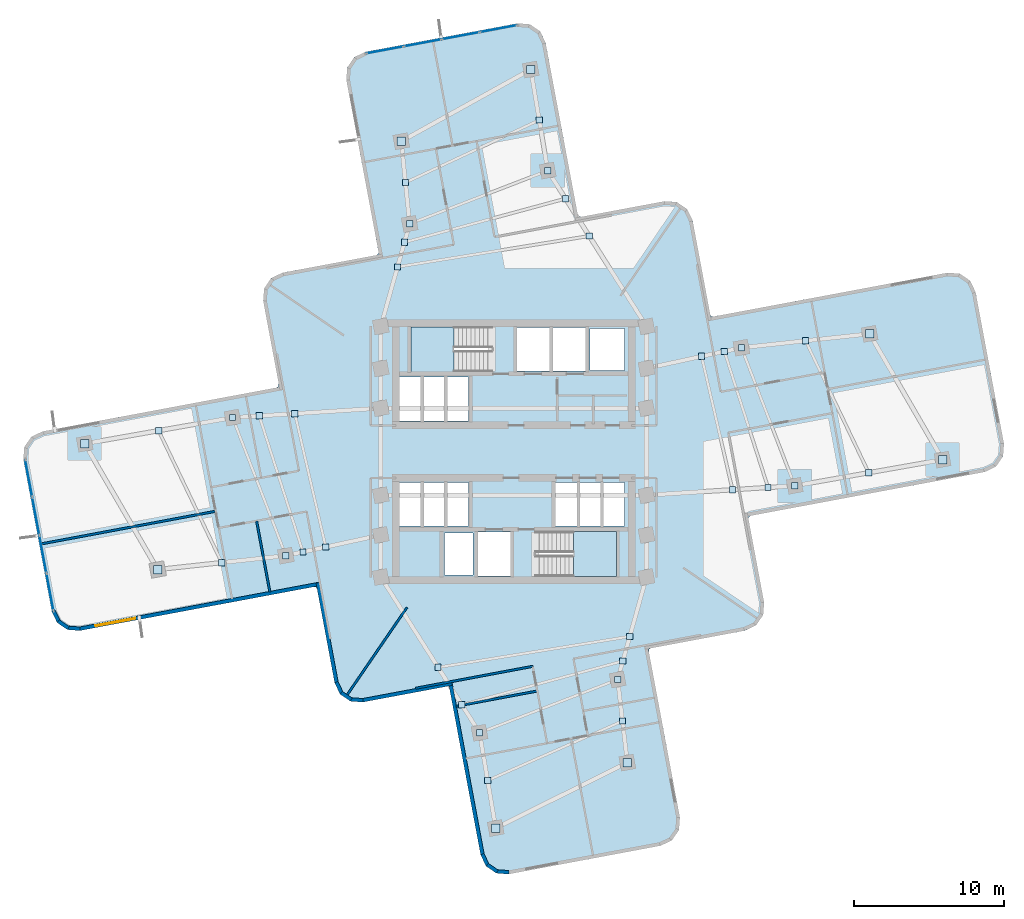
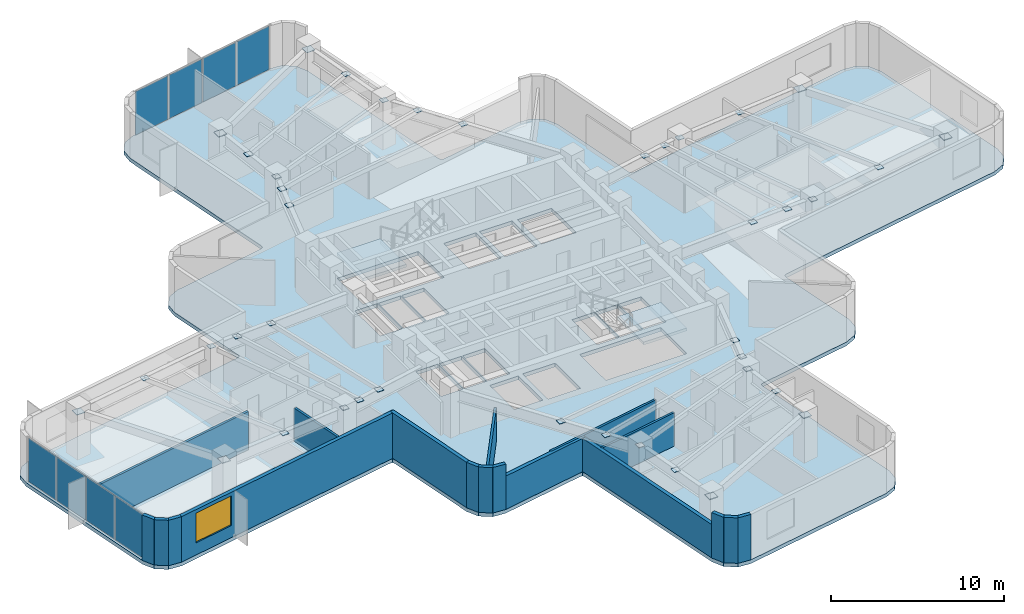
# One storey, part 5 of 12: 48 plates, 18 walls, 3 slabs, 1 window, 1 opening, 4 elements without a shape of their own.
"""IFC4 building model written with IfcOpenShell, lengths in metres."""

from ifc_helpers import new_model, si_unit, direction, frame, frame_2d, origin, origin_2d, place, context, subcontext, project, spatial, polyline, rectangle, outline, extrude, material, layer, layer_set, type_object, element, fill, aggregate, save


model = new_model("IFC4")

# Units and contexts
model_context = context("Model", 3, precision=1e-05, world=origin(), true_north=direction((0.0, 1.0)))
body_context = subcontext(model_context, "Body", "Model", "MODEL_VIEW")
ifc_project = project(units=[si_unit("LENGTHUNIT", "METRE"), si_unit("AREAUNIT", "SQUARE_METRE"), si_unit("VOLUMEUNIT", "CUBIC_METRE"), si_unit("PLANEANGLEUNIT", "RADIAN"), si_unit("MASSUNIT", "GRAM", prefix="KILO")], contexts=[model_context])

# Site, building, storey
site_placement = place(None, origin())
site = spatial("IfcSite", under=ifc_project, at=site_placement, CompositionType="ELEMENT")
building_placement = place(site_placement, origin())
building = spatial("IfcBuilding", under=site, at=building_placement, Name="Solmarez Civic Tower", CompositionType="ELEMENT")
storey_placement = place(building_placement, frame((0.0, 0.0, 103.679931640625)))
storey = spatial("IfcBuildingStorey", under=building, at=storey_placement, Name="L27", CompositionType="ELEMENT", Elevation=103.679931640625)

# Curtain wall, plates
ifc_material_1 = material(Name="Bronze Anodised Aluminium EN AW-6063 T6", Category="aluminium")
ifc_layer_1 = layer(ifc_material_1, 0.2099609375)
ifc_layer_set_1 = layer_set([ifc_layer_1], Name="Bronze Anodised Aluminium EN AW-6063 T6")
curtain_wall_type = type_object("IfcCurtainWallType", Name="CW-SYS-5", PredefinedType="NOTDEFINED", material=ifc_layer_set_1)
curtain_wall_1_placement = place(storey_placement, origin())
curtain_wall_1 = element("IfcCurtainWall", 1, at=curtain_wall_1_placement, inside=storey, type_object=curtain_wall_type, Name="L27 Stick-Built Curtain Wall 1", PredefinedType="NOTDEFINED")
ifc_material_2 = material(Name="Solar Control Low-E Laminated Vision Glass", Category="glass")
ifc_layer_2 = layer(ifc_material_2, 0.028076171875)
ifc_layer_set_2 = layer_set([ifc_layer_2], Name="Solar Control Low-E Laminated Vision Glass")
plate_type_1 = type_object("IfcPlateType", Name="CWP-GLAZ-28", PredefinedType="CURTAIN_PANEL", material=ifc_layer_set_2)
plate_1_placement = place(storey_placement, frame((-30.888671875, -9.3427734375, 0.06494140625), z_axis=(0.0, 0.0, 1.0), x_axis=(-0.183931608469, 0.982939043586, 0.0)))
plate_1 = element("IfcPlate", 2, at=plate_1_placement, type_object=plate_type_1, Name="CWS5 panel 1.1", PredefinedType="CURTAIN_PANEL", context=body_context, shape_type="SweptSolid", body=[
    extrude(rectangle(XDim=2.46728515625, YDim=0.028076171875, at=origin_2d()), origin(), (0.0, 0.0, 1.0), 3.070068359375),
])
plate_2_placement = place(storey_placement, frame((-31.35986328125, -6.825439453125, 0.06494140625), z_axis=(0.0, 0.0, 1.0), x_axis=(-0.183931608469, 0.982939043586, 0.0)))
plate_2 = element("IfcPlate", 3, at=plate_2_placement, type_object=plate_type_1, Name="CWS5 panel 2.1", PredefinedType="CURTAIN_PANEL", context=body_context, shape_type="SweptSolid", body=[
    extrude(rectangle(XDim=2.5048828125, YDim=0.028076171875, at=origin_2d()), origin(), (0.0, 0.0, 1.0), 3.070068359375),
])
plate_3_placement = place(storey_placement, frame((-31.834228515625, -4.28955078125, 0.06494140625), z_axis=(0.0, 0.0, 1.0), x_axis=(-0.183931608469, 0.982939043586, 0.0)))
plate_3 = element("IfcPlate", 4, at=plate_3_placement, type_object=plate_type_1, Name="CWS5 panel 3.1", PredefinedType="CURTAIN_PANEL", context=body_context, shape_type="SweptSolid", body=[
    extrude(rectangle(XDim=2.5048828125, YDim=0.028076171875, at=origin_2d()), origin(), (0.0, 0.0, 1.0), 3.070068359375),
])
plate_4_placement = place(storey_placement, frame((-32.305419921875, -1.772216796875, 0.06494140625), z_axis=(0.0, 0.0, 1.0), x_axis=(-0.183931608469, 0.982939043586, 0.0)))
plate_4 = element("IfcPlate", 5, at=plate_4_placement, type_object=plate_type_1, Name="CWS5 panel 4.1", PredefinedType="CURTAIN_PANEL", context=body_context, shape_type="SweptSolid", body=[
    extrude(rectangle(XDim=2.46728515625, YDim=0.028076171875, at=origin_2d()), origin(), (0.0, 0.0, 1.0), 3.070068359375),
])
aggregate(curtain_wall_1, [plate_1, plate_2, plate_3, plate_4])

curtain_wall_2_placement = place(storey_placement, origin())
curtain_wall_2 = element("IfcCurtainWall", 6, at=curtain_wall_2_placement, inside=storey, type_object=curtain_wall_type, Name="L27 Stick-Built Curtain Wall 2", PredefinedType="NOTDEFINED")
plate_5_placement = place(storey_placement, frame((-8.569580078125, 26.759765625, 0.06494140625), z_axis=(0.0, 0.0, 1.0), x_axis=(0.982921519076, 0.184025235598, 0.0)))
plate_5 = element("IfcPlate", 7, at=plate_5_placement, type_object=plate_type_1, Name="CWS5 panel 1.1", PredefinedType="CURTAIN_PANEL", context=body_context, shape_type="SweptSolid", body=[
    extrude(rectangle(XDim=2.46728515625, YDim=0.028076171875, at=origin_2d()), origin(), (0.0, 0.0, 1.0), 3.070068359375),
])
plate_6_placement = place(storey_placement, frame((-6.052490234375, 27.231201171875, 0.06494140625), z_axis=(0.0, 0.0, 1.0), x_axis=(0.982921519076, 0.184025235598, 0.0)))
plate_6 = element("IfcPlate", 8, at=plate_6_placement, type_object=plate_type_1, Name="CWS5 panel 2.1", PredefinedType="CURTAIN_PANEL", context=body_context, shape_type="SweptSolid", body=[
    extrude(rectangle(XDim=2.5048828125, YDim=0.028076171875, at=origin_2d()), origin(), (0.0, 0.0, 1.0), 3.070068359375),
])
plate_7_placement = place(storey_placement, frame((-3.5166015625, 27.705810546875, 0.06494140625), z_axis=(0.0, 0.0, 1.0), x_axis=(0.982921519076, 0.184025235598, 0.0)))
plate_7 = element("IfcPlate", 9, at=plate_7_placement, type_object=plate_type_1, Name="CWS5 panel 3.1", PredefinedType="CURTAIN_PANEL", context=body_context, shape_type="SweptSolid", body=[
    extrude(rectangle(XDim=2.5048828125, YDim=0.028076171875, at=origin_2d()), origin(), (0.0, 0.0, 1.0), 3.070068359375),
])
plate_8_placement = place(storey_placement, frame((-0.999267578125, 28.17724609375, 0.06494140625), z_axis=(0.0, 0.0, 1.0), x_axis=(0.982921519076, 0.184025235598, 0.0)))
plate_8 = element("IfcPlate", 10, at=plate_8_placement, type_object=plate_type_1, Name="CWS5 panel 4.1", PredefinedType="CURTAIN_PANEL", context=body_context, shape_type="SweptSolid", body=[
    extrude(rectangle(XDim=2.46728515625, YDim=0.028076171875, at=origin_2d()), origin(), (0.0, 0.0, 1.0), 3.070068359375),
])
aggregate(curtain_wall_2, [plate_5, plate_6, plate_7, plate_8])

# Plates
ifc_material_3 = material(Name="Steel S355", Category="steel")
ifc_layer_3 = layer(ifc_material_3, 0.02392578125)
ifc_layer_set_3 = layer_set([ifc_layer_3], Name="Steel S355")
plate_type_2 = type_object("IfcPlateType", Name="PLT-CAP-380", PredefinedType="USERDEFINED", material=ifc_layer_set_3)
for number, where, z_axis, x_axis, name in (
    (11, (18.72412109375, -2.27099609375, 3.0380859375), (0.0, 0.0, 1.0), (1.0, 0.0, 0.0), "Steel Member End Cap Plate CAP-BM-L27-EA-T1-0"),
    (12, (15.175048828125, 6.927001953125, 3.0380859375), (0.0, 0.0, 1.0), (1.0, 0.0, 0.0), "Steel Member End Cap Plate CAP-BM-L27-EA-T1-1"),
    (13, (23.64990234375, -1.402099609375, 3.0380859375), (0.0, 0.0, 1.0), (1.0, 0.0, 0.0), "Steel Member End Cap Plate CAP-JS-L27-EA-M2-0"),
    (14, (19.445068359375, 7.388916015625, 3.0380859375), (0.0, 0.0, 1.0), (1.0, 0.0, 0.0), "Steel Member End Cap Plate CAP-JS-L27-EA-M2-1"),
    (15, (14.576904296875, -2.534912109375, 3.0380859375), (0.0, 0.0, 1.0), (1.0, 0.0, 0.0), "Steel Member End Cap Plate CAP-JS-L27-EA-M11-0"),
    (16, (12.51806640625, 6.34912109375, 3.0380859375), (0.0, 0.0, 1.0), (1.0, 0.0, 0.0), "Steel Member End Cap Plate CAP-JS-L27-EA-M11-1"),
    (17, (16.947021484375, -2.384033203125, 3.0380859375), (0.0, 0.0, 1.0), (1.0, 0.0, 0.0), "Steel Member End Cap Plate CAP-JS-L27-EA-M12-0"),
    (18, (14.037109375, 6.678955078125, 3.0380859375), (0.0, 0.0, 1.0), (1.0, 0.0, 0.0), "Steel Member End Cap Plate CAP-JS-L27-EA-M12-1"),
    (19, (2.27099609375, 18.72412109375, 3.0380859375), (0.0, 0.0, 1.0), (1.0, 0.0, 0.0), "Steel Member End Cap Plate CAP-BM-L27-NA-T1-0"),
    (20, (-6.927001953125, 15.175048828125, 3.0380859375), (0.0, 0.0, 1.0), (1.0, 0.0, 0.0), "Steel Member End Cap Plate CAP-BM-L27-NA-T1-1"),
    (21, (1.705078125, 22.090087890625, 3.0380859375), (0.0, 0.0, 1.0), (1.0, 0.0, 0.0), "Steel Member End Cap Plate CAP-JS-L27-NA-M2-0"),
    (22, (-7.2080078125, 17.927001953125, 3.0380859375), (0.0, 0.0, 1.0), (1.0, 0.0, 0.0), "Steel Member End Cap Plate CAP-JS-L27-NA-M2-1"),
    (23, (5.033935546875, 14.366943359375, 3.0380859375), (0.0, 0.0, 1.0), (1.0, 0.0, 0.0), "Steel Member End Cap Plate CAP-JS-L27-NA-M11-0"),
    (24, (-7.735107421875, 12.30908203125, 3.0380859375), (0.0, 0.0, 1.0), (1.0, 0.0, 0.0), "Steel Member End Cap Plate CAP-JS-L27-NA-M11-1"),
    (25, (3.455078125, 16.85693359375, 3.0380859375), (0.0, 0.0, 1.0), (1.0, 0.0, 0.0), "Steel Member End Cap Plate CAP-JS-L27-NA-M12-0"),
    (26, (-7.27294921875, 13.947021484375, 3.0380859375), (0.0, 0.0, 1.0), (1.0, 0.0, 0.0), "Steel Member End Cap Plate CAP-JS-L27-NA-M12-1"),
    (27, (-18.72412109375, 2.27099609375, 3.0380859375), (0.0, 0.0, 1.0), (1.0, 0.0, 0.0), "Steel Member End Cap Plate CAP-BM-L27-WA-T1-0"),
    (28, (-15.175048828125, -6.927001953125, 3.0380859375), (0.0, 0.0, 1.0), (1.0, 0.0, 0.0), "Steel Member End Cap Plate CAP-BM-L27-WA-T1-1"),
    (29, (-23.64990234375, 1.402099609375, 3.0380859375), (0.0, 0.0, 1.0), (1.0, 0.0, 0.0), "Steel Member End Cap Plate CAP-JS-L27-WA-M2-0"),
    (30, (-19.445068359375, -7.388916015625, 3.0380859375), (0.0, 0.0, 1.0), (1.0, 0.0, 0.0), "Steel Member End Cap Plate CAP-JS-L27-WA-M2-1"),
    (31, (-14.576904296875, 2.534912109375, 3.0380859375), (0.0, 0.0, 1.0), (1.0, 0.0, 0.0), "Steel Member End Cap Plate CAP-JS-L27-WA-M11-0"),
    (32, (-12.51806640625, -6.34912109375, 3.0380859375), (0.0, 0.0, 1.0), (1.0, 0.0, 0.0), "Steel Member End Cap Plate CAP-JS-L27-WA-M11-1"),
    (33, (-16.947021484375, 2.384033203125, 3.0380859375), (0.0, 0.0, 1.0), (1.0, 0.0, 0.0), "Steel Member End Cap Plate CAP-JS-L27-WA-M12-0"),
    (34, (-14.037109375, -6.678955078125, 3.0380859375), (0.0, 0.0, 1.0), (1.0, 0.0, 0.0), "Steel Member End Cap Plate CAP-JS-L27-WA-M12-1"),
    (35, (-2.27099609375, -18.72412109375, 3.0380859375), (0.0, 0.0, 1.0), (1.0, 0.0, 0.0), "Steel Member End Cap Plate CAP-BM-L27-SA-T1-0"),
    (36, (6.927001953125, -15.175048828125, 3.0380859375), (0.0, 0.0, 1.0), (1.0, 0.0, 0.0), "Steel Member End Cap Plate CAP-BM-L27-SA-T1-1"),
    (37, (-1.73291015625, -21.89892578125, 3.0380859375), (0.0, 0.0, 1.0), (1.0, 0.0, 0.0), "Steel Member End Cap Plate CAP-JS-L27-SA-M2-0"),
    (38, (7.25, -17.944091796875, 3.0380859375), (0.0, 0.0, 1.0), (1.0, 0.0, 0.0), "Steel Member End Cap Plate CAP-JS-L27-SA-M2-1"),
    (39, (-5.033935546875, -14.366943359375, 3.0380859375), (0.0, 0.0, 1.0), (1.0, 0.0, 0.0), "Steel Member End Cap Plate CAP-JS-L27-SA-M11-0"),
    (40, (7.735107421875, -12.30908203125, 3.0380859375), (0.0, 0.0, 1.0), (1.0, 0.0, 0.0), "Steel Member End Cap Plate CAP-JS-L27-SA-M11-1"),
    (41, (-3.455078125, -16.85693359375, 3.0380859375), (0.0, 0.0, 1.0), (1.0, 0.0, 0.0), "Steel Member End Cap Plate CAP-JS-L27-SA-M12-0"),
    (42, (7.27294921875, -13.947021484375, 3.0380859375), (0.0, 0.0, 1.0), (1.0, 0.0, 0.0), "Steel Member End Cap Plate CAP-JS-L27-SA-M12-1"),
):
    element("IfcPlate", number, at=place(storey_placement, frame(where, z_axis=z_axis, x_axis=x_axis)), inside=storey, type_object=plate_type_2, Name=name, ObjectType="CAP_PLATE", PredefinedType="USERDEFINED", context=body_context, shape_type="SweptSolid", body=[
        extrude(rectangle(XDim=0.419921875, YDim=0.419921875, at=origin_2d()), origin(), (0.0, 0.0, 1.0), 0.02392578125),
    ])
ifc_layer_4 = layer(ifc_material_3, 0.028076171875)
ifc_layer_set_4 = layer_set([ifc_layer_4], Name="Steel S355")
plate_type_3 = type_object("IfcPlateType", Name="PLT-CAP-540", PredefinedType="USERDEFINED", material=ifc_layer_set_4)
for number, where, z_axis, x_axis, name in (
    (43, (28.575927734375, -0.532958984375, 2.93603515625), (0.0, 0.0, 1.0), (1.0, 0.0, 0.0), "Steel Member End Cap Plate CAP-BM-L27-EA-T2-0"),
    (44, (23.715087890625, 7.85107421875, 2.93603515625), (0.0, 0.0, 1.0), (1.0, 0.0, 0.0), "Steel Member End Cap Plate CAP-BM-L27-EA-T2-1"),
    (45, (1.138916015625, 25.45703125, 2.93603515625), (0.0, 0.0, 1.0), (1.0, 0.0, 0.0), "Steel Member End Cap Plate CAP-BM-L27-NA-T2-0"),
    (46, (-7.489013671875, 20.678955078125, 2.93603515625), (0.0, 0.0, 1.0), (1.0, 0.0, 0.0), "Steel Member End Cap Plate CAP-BM-L27-NA-T2-1"),
    (47, (-28.575927734375, 0.532958984375, 2.93603515625), (0.0, 0.0, 1.0), (1.0, 0.0, 0.0), "Steel Member End Cap Plate CAP-BM-L27-WA-T2-0"),
    (48, (-23.715087890625, -7.85107421875, 2.93603515625), (0.0, 0.0, 1.0), (1.0, 0.0, 0.0), "Steel Member End Cap Plate CAP-BM-L27-WA-T2-1"),
    (49, (-1.195068359375, -25.073974609375, 2.93603515625), (0.0, 0.0, 1.0), (1.0, 0.0, 0.0), "Steel Member End Cap Plate CAP-BM-L27-SA-T2-0"),
    (50, (7.573974609375, -20.714111328125, 2.93603515625), (0.0, 0.0, 1.0), (1.0, 0.0, 0.0), "Steel Member End Cap Plate CAP-BM-L27-SA-T2-1"),
):
    element("IfcPlate", number, at=place(storey_placement, frame(where, z_axis=z_axis, x_axis=x_axis)), inside=storey, type_object=plate_type_3, Name=name, ObjectType="CAP_PLATE", PredefinedType="USERDEFINED", context=body_context, shape_type="SweptSolid", body=[
        extrude(rectangle(XDim=0.56005859375, YDim=0.56005859375, at=origin_2d()), origin(), (0.0, 0.0, 1.0), 0.028076171875),
    ])

# Stair, slab
ifc_material_4 = material(Name="Concrete C50/60", Category="concrete")
stair_type = type_object("IfcStairType", Name="STAIR-DOGLEG-140W-20R-1800", PredefinedType="HALF_TURN_STAIR", material=ifc_material_4)
stair_1_placement = place(storey_placement, origin())
stair_1 = element("IfcStair", 51, at=stair_1_placement, inside=storey, type_object=stair_type, Name="L27 North Core Protected Exit Stair ST-1", PredefinedType="HALF_TURN_STAIR")
ifc_layer_5 = layer(ifc_material_4, 0.199951171875)
ifc_layer_set_5 = layer_set([ifc_layer_5], Name="Concrete C50/60")
slab_type_1 = type_object("IfcSlabType", Name="SLAB-LANDING-200", PredefinedType="LANDING", material=ifc_layer_set_5)
slab_1_placement = place(storey_placement, frame((0.0, 0.0, 1.60009765625)))
slab_1 = element("IfcSlab", 52, at=slab_1_placement, type_object=slab_type_1, Name="ST-1 landing 1", PredefinedType="LANDING", context=body_context, shape_type="SweptSolid", body=[
    extrude(outline(polyline([(-3.969970703125, 8.320068359375), (-6.85009765625, 8.320068359375), (-6.85009765625, 5.320068359375), (-3.969970703125, 5.320068359375), (-3.969970703125, 8.320068359375)])), origin(), (0.0, 0.0, 1.0), 0.199951171875),
])
aggregate(stair_1, [slab_1])

stair_2_placement = place(storey_placement, origin())
stair_2 = element("IfcStair", 53, at=stair_2_placement, inside=storey, type_object=stair_type, Name="L27 South Core Protected Exit Stair ST-2", PredefinedType="HALF_TURN_STAIR")
slab_2_placement = place(storey_placement, frame((0.0, 0.0, 1.60009765625)))
slab_2 = element("IfcSlab", 54, at=slab_2_placement, type_object=slab_type_1, Name="ST-2 landing 1", PredefinedType="LANDING", context=body_context, shape_type="SweptSolid", body=[
    extrude(outline(polyline([(3.969970703125, -8.320068359375), (6.85009765625, -8.320068359375), (6.85009765625, -5.320068359375), (3.969970703125, -5.320068359375), (3.969970703125, -8.320068359375)])), origin(), (0.0, 0.0, 1.0), 0.199951171875),
])
aggregate(stair_2, [slab_2])

# Slab
ifc_layer_6 = layer(ifc_material_4, 0.260009765625)
ifc_layer_set_6 = layer_set([ifc_layer_6], Name="Concrete C50/60")
slab_type_2 = type_object("IfcSlabType", Name="SLAB-TOWER-260", PredefinedType="FLOOR", material=ifc_layer_set_6)
slab_3_placement = place(storey_placement, frame((0.0, 0.0, -0.260009765625)))
element("IfcSlab", 55, at=slab_3_placement, inside=storey, type_object=slab_type_2, Name="L27 Structural Slab", PredefinedType="FLOOR", context=body_context, shape_type="SweptSolid", body=[
    extrude(outline(polyline([(-13.0859375, -9.174072265625), (-11.919921875, -15.406005859375), (-11.56201171875, -16.152099609375), (-10.8779296875, -16.6201171875), (-10.052978515625, -16.68408203125), (-4.509033203125, -15.64697265625), (-4.337890625, -15.659912109375), (-4.263916015625, -15.81494140625), (-2.196044921875, -26.862060546875), (-1.837890625, -27.60888671875), (-1.155029296875, -28.076904296875), (-0.3291015625, -28.14111328125), (9.794921875, -26.24609375), (10.5419921875, -25.887939453125), (11.010009765625, -25.205078125), (11.073974609375, -24.37890625), (9.006103515625, -13.3310546875), (9.01904296875, -13.159912109375), (9.174072265625, -13.0859375), (15.406005859375, -11.919921875), (16.152099609375, -11.56201171875), (16.6201171875, -10.8779296875), (16.68408203125, -10.052978515625), (15.64697265625, -4.509033203125), (15.659912109375, -4.337890625), (15.81494140625, -4.263916015625), (31.384033203125, -1.35009765625), (32.131103515625, -0.991943359375), (32.59912109375, -0.30908203125), (32.662109375, 0.51708984375), (30.76806640625, 10.64111328125), (30.409912109375, 11.387939453125), (29.72607421875, 11.85595703125), (28.90087890625, 11.919921875), (13.3310546875, 9.006103515625), (13.159912109375, 9.01904296875), (13.0859375, 9.174072265625), (11.919921875, 15.406005859375), (11.56201171875, 16.152099609375), (10.8779296875, 16.6201171875), (10.052978515625, 16.68408203125), (4.509033203125, 15.64697265625), (4.337890625, 15.659912109375), (4.263916015625, 15.81494140625), (2.123046875, 27.256103515625), (1.764892578125, 28.001953125), (1.0810546875, 28.469970703125), (0.256103515625, 28.533935546875), (-9.868896484375, 26.638916015625), (-10.615966796875, 26.281005859375), (-11.083984375, 25.597900390625), (-11.14697265625, 24.77197265625), (-9.006103515625, 13.3310546875), (-9.01904296875, 13.159912109375), (-9.174072265625, 13.0859375), (-15.406005859375, 11.919921875), (-16.152099609375, 11.56201171875), (-16.6201171875, 10.8779296875), (-16.68408203125, 10.052978515625), (-15.64697265625, 4.509033203125), (-15.659912109375, 4.337890625), (-15.81494140625, 4.263916015625), (-31.384033203125, 1.35009765625), (-32.131103515625, 0.991943359375), (-32.59912109375, 0.30908203125), (-32.662109375, -0.51708984375), (-30.76806640625, -10.64111328125), (-30.409912109375, -11.387939453125), (-29.72607421875, -11.85595703125), (-28.90087890625, -11.919921875), (-13.3310546875, -9.006103515625), (-13.159912109375, -9.01904296875), (-13.0859375, -9.174072265625)]), holes=[polyline([(-1.449951171875, 8.320068359375), (-6.85009765625, 8.320068359375), (-6.85009765625, 5.320068359375), (-1.449951171875, 5.320068359375), (-1.449951171875, 8.320068359375)]), polyline([(1.449951171875, -8.320068359375), (6.85009765625, -8.320068359375), (6.85009765625, -5.320068359375), (1.449951171875, -5.320068359375), (1.449951171875, -8.320068359375)]), polyline([(0.219970703125, 5.360107421875), (2.3798828125, 5.360107421875), (2.3798828125, 8.280029296875), (0.219970703125, 8.280029296875), (0.219970703125, 5.360107421875)]), polyline([(2.6201171875, 5.360107421875), (4.780029296875, 5.360107421875), (4.780029296875, 8.280029296875), (2.6201171875, 8.280029296875), (2.6201171875, 5.360107421875)]), polyline([(-2.3798828125, -8.280029296875), (-0.219970703125, -8.280029296875), (-0.219970703125, -5.360107421875), (-2.3798828125, -5.360107421875), (-2.3798828125, -8.280029296875)]), polyline([(2.800048828125, -4.9599609375), (4.280029296875, -4.9599609375), (4.280029296875, -2.06005859375), (2.800048828125, -2.06005859375), (2.800048828125, -4.9599609375)]), polyline([(4.360107421875, -4.9599609375), (5.840087890625, -4.9599609375), (5.840087890625, -2.06005859375), (4.360107421875, -2.06005859375), (4.360107421875, -4.9599609375)]), polyline([(5.919921875, -4.9599609375), (7.39990234375, -4.9599609375), (7.39990234375, -2.06005859375), (5.919921875, -2.06005859375), (5.919921875, -4.9599609375)]), polyline([(-7.60009765625, -4.9599609375), (-6.1201171875, -4.9599609375), (-6.1201171875, -2.06005859375), (-7.60009765625, -2.06005859375), (-7.60009765625, -4.9599609375)]), polyline([(-6.0400390625, -4.9599609375), (-4.56005859375, -4.9599609375), (-4.56005859375, -2.06005859375), (-6.0400390625, -2.06005859375), (-6.0400390625, -4.9599609375)]), polyline([(-4.47998046875, -4.9599609375), (-3.0, -4.9599609375), (-3.0, -2.06005859375), (-4.47998046875, -2.06005859375), (-4.47998046875, -4.9599609375)]), polyline([(-7.60009765625, 2.06005859375), (-6.1201171875, 2.06005859375), (-6.1201171875, 4.9599609375), (-7.60009765625, 4.9599609375), (-7.60009765625, 2.06005859375)]), polyline([(-6.0400390625, 2.06005859375), (-4.56005859375, 2.06005859375), (-4.56005859375, 4.9599609375), (-6.0400390625, 4.9599609375), (-6.0400390625, 2.06005859375)]), polyline([(-4.47998046875, 2.06005859375), (-3.0, 2.06005859375), (-3.0, 4.9599609375), (-4.47998046875, 4.9599609375), (-4.47998046875, 2.06005859375)]), polyline([(5.10009765625, 5.419921875), (7.39990234375, 5.419921875), (7.39990234375, 8.219970703125), (5.10009765625, 8.219970703125), (5.10009765625, 5.419921875)]), polyline([(-4.60009765625, -8.219970703125), (-2.699951171875, -8.219970703125), (-2.699951171875, -5.419921875), (-4.60009765625, -5.419921875), (-4.60009765625, -8.219970703125)])]), origin(), (0.0, 0.0, 1.0), 0.260009765625),
])

# Wall, opening, window
ifc_material_5 = material(Name="Precast concrete C40/50", Category="concrete")
ifc_layer_7 = layer(ifc_material_5, 0.239990234375)
ifc_layer_set_7 = layer_set([ifc_layer_7], Name="Precast concrete C40/50")
wall_type_1 = type_object("IfcWallType", Name="WALL-EXT-240", PredefinedType="SOLIDWALL", material=ifc_layer_set_7)
wall_1_placement = place(storey_placement, frame((-12.93505859375, -8.80908203125, 0.0), z_axis=(0.0, 0.0, 1.0), x_axis=(-0.982922588066, -0.184019525782, 0.0)))
wall_1 = element("IfcWall", 56, at=wall_1_placement, inside=storey, type_object=wall_type_1, Name="L27 Exterior Precast Wall 2", PredefinedType="SOLIDWALL", context=body_context, shape_type="SweptSolid", body=[
    extrude(rectangle(XDim=16.274658203125, YDim=0.239990234375, at=frame_2d((8.13720703125, 0.0))), origin(), (0.0, 0.0, 1.0), 3.199951171875),
])
opening_placement = place(wall_1_placement, frame((12.47509765625, 0.0, 0.85009765625)))
opening = element("IfcOpeningElement", 57, at=opening_placement, cuts=wall_1, Name="Opening W-01", PredefinedType="OPENING", context=body_context, shape_type="SweptSolid", body=[
    extrude(rectangle(XDim=2.699951171875, YDim=2.10009765625, at=frame_2d((1.35009765625, 1.050048828125))), frame((0.0, 0.1298828125, 0.0), z_axis=(0.0, -1.0, 0.0), x_axis=(1.0, 0.0, 0.0)), (0.0, 0.0, 1.0), 0.260009765625),
])
ifc_material_6 = material(Name="Solar Control Bronze-Tinted Insulating Glass", Category="glass")
window_type = type_object("IfcWindowType", Name="WIN-2700X2100", PartitioningType="SINGLE_PANEL", PredefinedType="WINDOW", material=ifc_material_6)
window_placement = place(opening_placement, origin())
window = element("IfcWindow", 58, at=window_placement, inside=storey, type_object=window_type, Name="L27 Exterior Facade Window 2", OverallHeight=2.10009765625, OverallWidth=2.699951171875, PartitioningType="SINGLE_PANEL", PredefinedType="WINDOW", context=body_context, shape_type="SweptSolid", body=[
    extrude(rectangle(XDim=2.699951171875, YDim=2.10009765625, at=frame_2d((1.35009765625, 1.050048828125))), frame((0.0, 0.030029296875, 0.0), z_axis=(0.0, -1.0, 0.0), x_axis=(1.0, 0.0, 0.0)), (0.0, 0.0, 1.0), 0.06005859375),
])
fill(opening, window)

# Walls
wall_2_placement = place(storey_placement, frame((-28.882080078125, -11.801025390625, 0.0), z_axis=(0.0, 0.0, 1.0), x_axis=(-0.997028485347, 0.077033754987, 0.0)))
element("IfcWall", 59, at=wall_2_placement, inside=storey, type_object=wall_type_1, Name="L27 Exterior Precast Wall 3", PredefinedType="SOLIDWALL", context=body_context, shape_type="SweptSolid", body=[
    extrude(rectangle(XDim=0.830322265625, YDim=0.239990234375, at=frame_2d((0.4150390625, 0.0))), origin(), (0.0, 0.0, 1.0), 3.199951171875),
])
wall_3_placement = place(storey_placement, frame((-29.6640625, -11.7529296875, 0.0), z_axis=(0.0, 0.0, 1.0), x_axis=(-0.825160141847, 0.564898876177, 0.0)))
element("IfcWall", 60, at=wall_3_placement, inside=storey, type_object=wall_type_1, Name="L27 Exterior Precast Wall 4", PredefinedType="SOLIDWALL", context=body_context, shape_type="SweptSolid", body=[
    extrude(rectangle(XDim=0.814208984375, YDim=0.239990234375, at=frame_2d((0.4072265625, 0.0))), origin(), (0.0, 0.0, 1.0), 3.199951171875),
])
wall_4_placement = place(storey_placement, frame((-30.303955078125, -11.330078125, 0.0), z_axis=(0.0, 0.0, 1.0), x_axis=(-0.433294434868, 0.901252424525, 0.0)))
element("IfcWall", 61, at=wall_4_placement, inside=storey, type_object=wall_type_1, Name="L27 Exterior Precast Wall 5", PredefinedType="SOLIDWALL", context=body_context, shape_type="SweptSolid", body=[
    extrude(rectangle(XDim=0.8310546875, YDim=0.239990234375, at=frame_2d((0.41552734375, 0.0))), origin(), (0.0, 0.0, 1.0), 3.199951171875),
])
wall_5_placement = place(storey_placement, frame((-0.31103515625, -28.02197265625, 0.0), z_axis=(0.0, 0.0, 1.0), x_axis=(-0.997028485347, 0.077033754987, 0.0)))
element("IfcWall", 62, at=wall_5_placement, inside=storey, type_object=wall_type_1, Name="L27 Exterior Precast Wall 61", PredefinedType="SOLIDWALL", context=body_context, shape_type="SweptSolid", body=[
    extrude(rectangle(XDim=0.830322265625, YDim=0.239990234375, at=frame_2d((0.4150390625, 0.0))), origin(), (0.0, 0.0, 1.0), 3.199951171875),
])
wall_6_placement = place(storey_placement, frame((-1.093017578125, -27.97412109375, 0.0), z_axis=(0.0, 0.0, 1.0), x_axis=(-0.825020375165, 0.565102982263, 0.0)))
element("IfcWall", 63, at=wall_6_placement, inside=storey, type_object=wall_type_1, Name="L27 Exterior Precast Wall 62", PredefinedType="SOLIDWALL", context=body_context, shape_type="SweptSolid", body=[
    extrude(rectangle(XDim=0.814453125, YDim=0.239990234375, at=frame_2d((0.4072265625, 0.0))), origin(), (0.0, 0.0, 1.0), 3.199951171875),
])
wall_7_placement = place(storey_placement, frame((-1.73291015625, -27.551025390625, 0.0), z_axis=(0.0, 0.0, 1.0), x_axis=(-0.432339276243, 0.901711012585, 0.0)))
element("IfcWall", 64, at=wall_7_placement, inside=storey, type_object=wall_type_1, Name="L27 Exterior Precast Wall 63", PredefinedType="SOLIDWALL", context=body_context, shape_type="SweptSolid", body=[
    extrude(rectangle(XDim=0.83056640625, YDim=0.239990234375, at=frame_2d((0.415283203125, 0.0))), origin(), (0.0, 0.0, 1.0), 3.199951171875),
])
wall_8_placement = place(storey_placement, frame((-2.075927734375, -26.85009765625, 0.0), z_axis=(0.0, 0.0, 1.0), x_axis=(-0.18407390356, 0.982912406081, 0.0)))
element("IfcWall", 65, at=wall_8_placement, inside=storey, type_object=wall_type_1, Name="L27 Exterior Precast Wall 64", PredefinedType="SOLIDWALL", context=body_context, shape_type="SweptSolid", body=[
    extrude(rectangle(XDim=11.675537109375, YDim=0.239990234375, at=frame_2d((5.837890625, 0.0))), origin(), (0.0, 0.0, 1.0), 2.345947265625),
])
wall_9_placement = place(storey_placement, frame((-4.113037109375, -15.449951171875, 0.0), z_axis=(0.0, 0.0, 1.0), x_axis=(-0.982913564854, -0.18406771587, 0.0)))
element("IfcWall", 66, at=wall_9_placement, inside=storey, type_object=wall_type_1, Name="L27 Exterior Precast Wall 67", PredefinedType="SOLIDWALL", context=body_context, shape_type="SweptSolid", body=[
    extrude(rectangle(XDim=6.07470703125, YDim=0.239990234375, at=frame_2d((3.037353515625, 0.0))), origin(), (0.0, 0.0, 1.0), 2.345947265625),
])
wall_10_placement = place(storey_placement, frame((-10.033935546875, -16.56494140625, 0.0), z_axis=(0.0, 0.0, 1.0), x_axis=(-0.997030229365, 0.077011179273, 0.0)))
element("IfcWall", 67, at=wall_10_placement, inside=storey, type_object=wall_type_1, Name="L27 Exterior Precast Wall 68", PredefinedType="SOLIDWALL", context=body_context, shape_type="SweptSolid", body=[
    extrude(rectangle(XDim=0.83056640625, YDim=0.239990234375, at=frame_2d((0.415283203125, 0.0))), origin(), (0.0, 0.0, 1.0), 3.199951171875),
])
wall_11_placement = place(storey_placement, frame((-10.81591796875, -16.51708984375, 0.0), z_axis=(0.0, 0.0, 1.0), x_axis=(-0.825814611055, 0.563941688624, 0.0)))
element("IfcWall", 68, at=wall_11_placement, inside=storey, type_object=wall_type_1, Name="L27 Exterior Precast Wall 69", PredefinedType="SOLIDWALL", context=body_context, shape_type="SweptSolid", body=[
    extrude(rectangle(XDim=0.81396484375, YDim=0.239990234375, at=frame_2d((0.406982421875, 0.0))), origin(), (0.0, 0.0, 1.0), 3.199951171875),
])
wall_12_placement = place(storey_placement, frame((-11.4560546875, -16.094970703125, 0.0), z_axis=(0.0, 0.0, 1.0), x_axis=(-0.431642510533, 0.902044756706, 0.0)))
element("IfcWall", 69, at=wall_12_placement, inside=storey, type_object=wall_type_1, Name="L27 Exterior Precast Wall 70", PredefinedType="SOLIDWALL", context=body_context, shape_type="SweptSolid", body=[
    extrude(rectangle(XDim=0.83154296875, YDim=0.239990234375, at=frame_2d((0.415771484375, 0.0))), origin(), (0.0, 0.0, 1.0), 3.199951171875),
])
wall_13_placement = place(storey_placement, frame((-11.799072265625, -15.39306640625, 0.0), z_axis=(0.0, 0.0, 1.0), x_axis=(-0.184184115697, 0.982891759821, 0.0)))
element("IfcWall", 70, at=wall_13_placement, inside=storey, type_object=wall_type_1, Name="L27 Exterior Precast Wall 71", PredefinedType="SOLIDWALL", context=body_context, shape_type="SweptSolid", body=[
    extrude(rectangle(XDim=6.776123046875, YDim=0.239990234375, at=frame_2d((3.38818359375, 0.0))), origin(), (0.0, 0.0, 1.0), 3.199951171875),
])
ifc_material_7 = material(Name="Gypsum Board Acoustic Steel-Stud Partition", Category="steel")
ifc_layer_8 = layer(ifc_material_7, 0.14501953125)
ifc_layer_set_8 = layer_set([ifc_layer_8], Name="Gypsum Board Acoustic Steel-Stud Partition")
wall_type_2 = type_object("IfcWallType", Name="WALL-INT-PART-150", PredefinedType="PARTITIONING", material=ifc_layer_set_8)
wall_14_placement = place(storey_placement, frame((-7.10791015625, -10.3798828125, 0.0), z_axis=(0.0, 0.0, 1.0), x_axis=(-0.564900413187, -0.825159089619, 0.0)))
element("IfcWall", 71, at=wall_14_placement, inside=storey, type_object=wall_type_2, Name="L27 Interior Partition PT-L27-QDIV-3", PredefinedType="PARTITIONING", context=body_context, shape_type="SweptSolid", body=[
    extrude(rectangle(XDim=7.073974609375, YDim=0.14501953125, at=frame_2d((3.537109375, 0.0))), origin(), (0.0, 0.0, 1.0), 2.345947265625),
])
wall_15_placement = place(storey_placement, frame((-17.12109375, -4.6279296875, 0.0), z_axis=(0.0, 0.0, 1.0), x_axis=(0.183922768694, -0.98294069768, 0.0)))
element("IfcWall", 72, at=wall_15_placement, inside=storey, type_object=wall_type_2, Name="L27 Interior Partition PT-L27-W-LM", PredefinedType="PARTITIONING", context=body_context, shape_type="SweptSolid", body=[
    extrude(rectangle(XDim=4.7958984375, YDim=0.14501953125, at=frame_2d((2.39794921875, 0.0))), origin(), (0.0, 0.0, 1.0), 2.345947265625),
])
wall_16_placement = place(storey_placement, frame((-19.907958984375, -3.97998046875, 0.0), z_axis=(0.0, 0.0, 1.0), x_axis=(-0.982937353802, -0.183940638526, 0.0)))
element("IfcWall", 73, at=wall_16_placement, inside=storey, type_object=wall_type_2, Name="L27 Interior Partition PT-L27-W-TM", PredefinedType="PARTITIONING", context=body_context, shape_type="SweptSolid", body=[
    extrude(rectangle(XDim=11.694580078125, YDim=0.14501953125, at=frame_2d((5.84716796875, 0.0))), origin(), (0.0, 0.0, 1.0), 2.692138671875),
])
wall_17_placement = place(storey_placement, frame((-6.531982421875, -15.760986328125, 0.0), z_axis=(0.0, 0.0, 1.0), x_axis=(0.98292290903, 0.184017811376, 0.0)))
element("IfcWall", 74, at=wall_17_placement, inside=storey, type_object=wall_type_2, Name="L27 Interior Partition PT-L27-S-EFR", PredefinedType="PARTITIONING", context=body_context, shape_type="SweptSolid", body=[
    extrude(rectangle(XDim=7.94970703125, YDim=0.14501953125, at=frame_2d((3.974853515625, 0.0))), origin(), (0.0, 0.0, 1.0), 2.345947265625),
])
wall_18_placement = place(storey_placement, frame((-3.842041015625, -16.9560546875, 0.0), z_axis=(0.0, 0.0, 1.0), x_axis=(0.982934991676, 0.183953260746, 0.0)))
element("IfcWall", 75, at=wall_18_placement, inside=storey, type_object=wall_type_2, Name="L27 Interior Partition PT-L27-S-RM", PredefinedType="PARTITIONING", context=body_context, shape_type="SweptSolid", body=[
    extrude(rectangle(XDim=5.495849609375, YDim=0.14501953125, at=frame_2d((2.748046875, 0.0))), origin(), (0.0, 0.0, 1.0), 2.345947265625),
])

save(model, "model.ifc")
